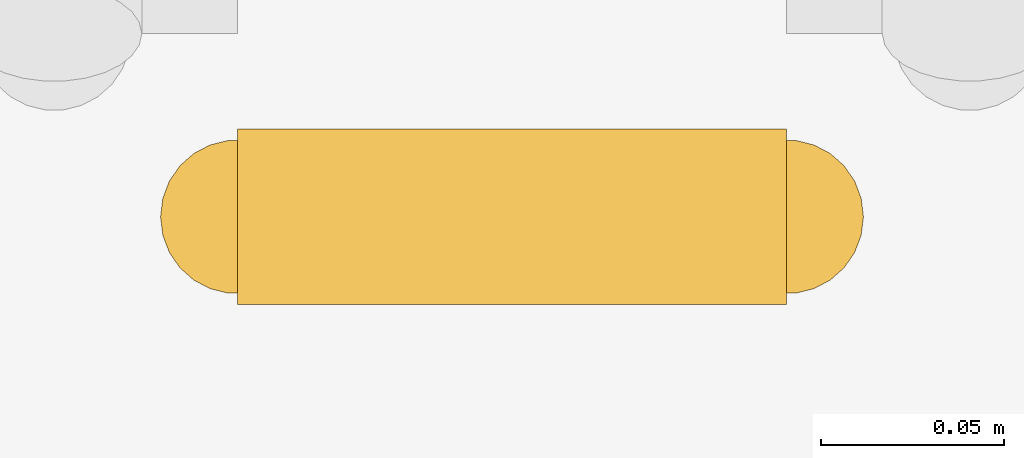
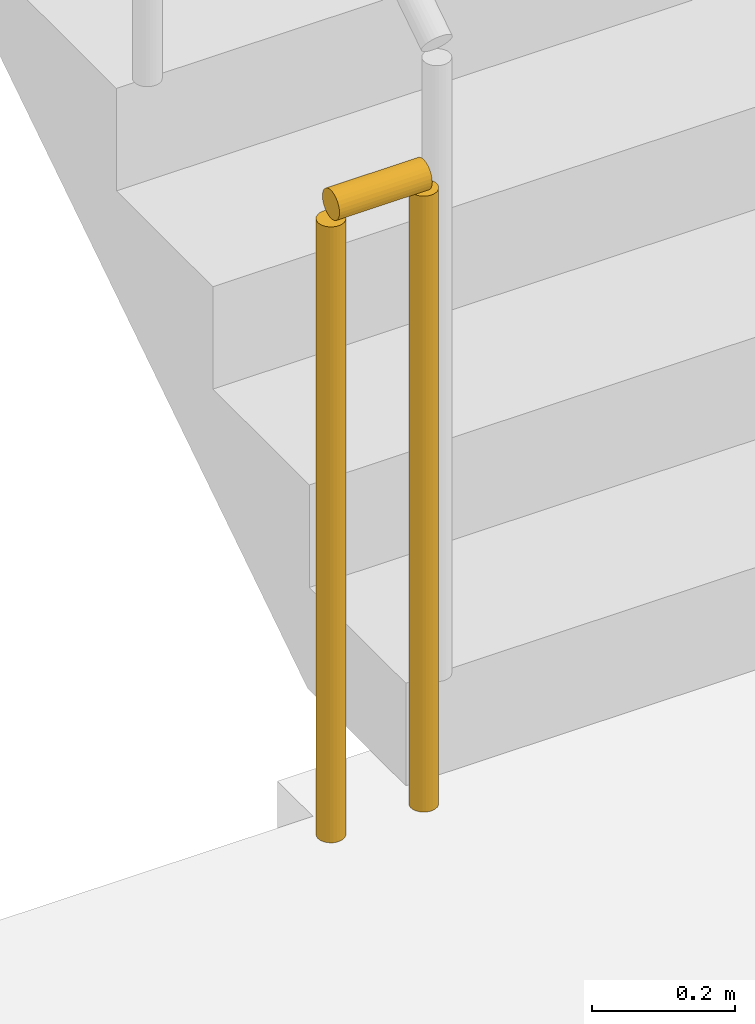
# One storey, part 17 of 20: 1 railing.
"""IFC4 building model written with IfcOpenShell, lengths in metres."""

from ifc_helpers import new_model, si_unit, direction, frame, origin, origin_2d, place, context, subcontext, project, spatial, circle, extrude, material, type_object, element, save


model = new_model("IFC4")

# Units and contexts
model_context = context("Model", 3, precision=1e-05, world=origin(), true_north=direction((0.0, 1.0)))
body_context = subcontext(model_context, "Body", "Model", "MODEL_VIEW")
ifc_project = project(units=[si_unit("LENGTHUNIT", "METRE"), si_unit("AREAUNIT", "SQUARE_METRE"), si_unit("VOLUMEUNIT", "CUBIC_METRE"), si_unit("PLANEANGLEUNIT", "RADIAN"), si_unit("MASSUNIT", "GRAM", prefix="KILO")], contexts=[model_context])

# Site, building, storey
site_placement = place(None, origin())
site = spatial("IfcSite", under=ifc_project, at=site_placement, CompositionType="ELEMENT")
building_placement = place(site_placement, origin())
building = spatial("IfcBuilding", under=site, at=building_placement, Name="Saffron Iwan Residences", CompositionType="ELEMENT")
storey_placement = place(building_placement, frame((0.0, 0.0, 164.0)))
storey = spatial("IfcBuildingStorey", under=building, at=storey_placement, Name="L43", CompositionType="ELEMENT", Elevation=164.0)

# Railing
ifc_material = material(Name="Steel S355", Category="steel")
railing_type = type_object("IfcRailingType", Name="Stair guard 1100", PredefinedType="GUARDRAIL", material=ifc_material)
railing_placement = place(storey_placement, frame((69.699951171875, 67.800048828125, 0.0)))
element("IfcRailing", 1, at=railing_placement, inside=storey, type_object=railing_type, Name="L43 ST-E stair guard 2", PredefinedType="GUARDRAIL", context=body_context, shape_type="SweptSolid", body=[
    extrude(circle(Radius=0.02392578125, at=origin_2d()), frame((0.0, 0.0, 1.076171875), z_axis=(-1.0, 0.0, 0.0), x_axis=(0.0, -1.0, 0.0)), (0.0, 0.0, 1.0), 0.14990234375),
    extrude(circle(Radius=0.02099609375, at=origin_2d()), origin(), (0.0, 0.0, 1.0), 1.052001953125),
    extrude(circle(Radius=0.02099609375, at=origin_2d()), frame((-0.14990234375, 0.0, 0.0)), (0.0, 0.0, 1.0), 1.052001953125),
])

save(model, "model.ifc")
